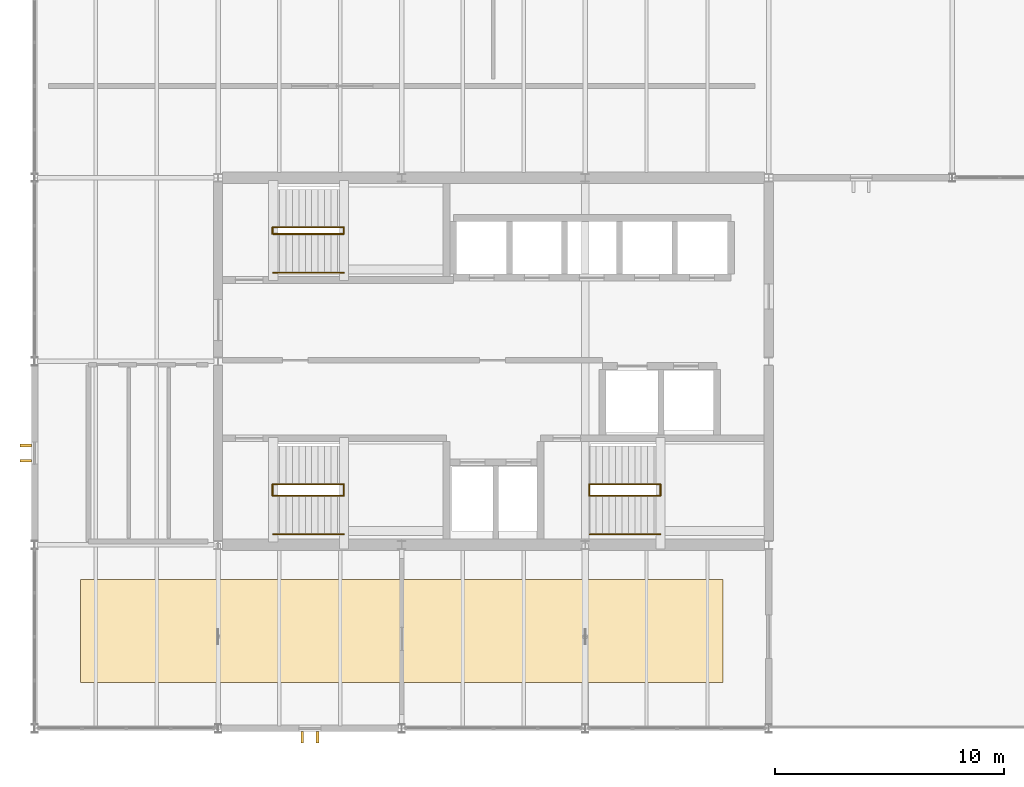
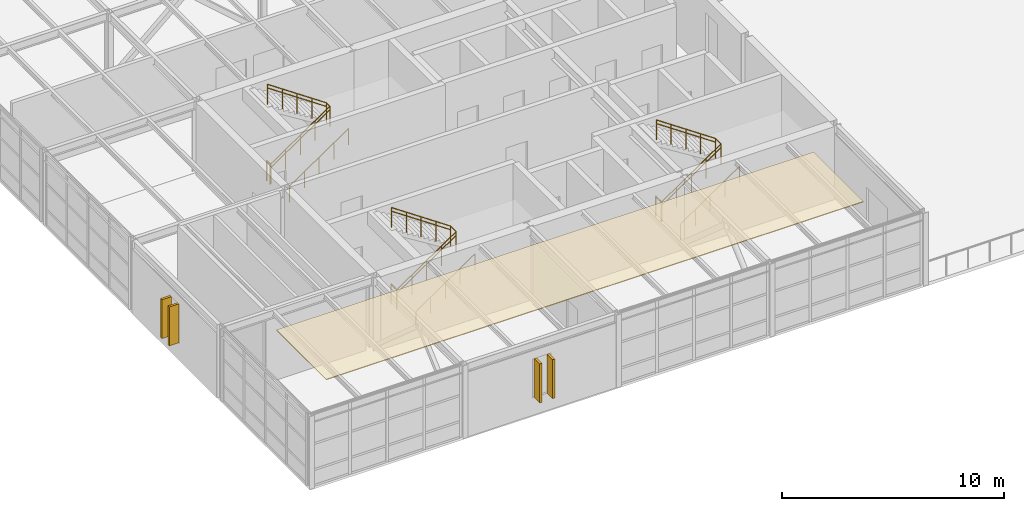
# One storey, part 20 of 21: 18 railings, 4 shading devices, 1 covering.
"""IFC4 building model written with IfcOpenShell, lengths in metres."""

from ifc_helpers import new_model, si_unit, direction, frame, origin, origin_2d, place, context, subcontext, project, spatial, polyline, rectangle, circle, outline, extrude, material, layer, layer_set, type_object, element, save


model = new_model("IFC4")

# Units and contexts
model_context = context("Model", 3, precision=1e-05, world=origin(), true_north=direction((0.0, 1.0)))
body_context = subcontext(model_context, "Body", "Model", "MODEL_VIEW")
ifc_project = project(units=[si_unit("LENGTHUNIT", "METRE"), si_unit("AREAUNIT", "SQUARE_METRE"), si_unit("VOLUMEUNIT", "CUBIC_METRE"), si_unit("PLANEANGLEUNIT", "RADIAN"), si_unit("MASSUNIT", "GRAM", prefix="KILO")], contexts=[model_context])

# Site, building, storey
site_placement = place(None, origin())
site = spatial("IfcSite", under=ifc_project, at=site_placement, CompositionType="ELEMENT")
building_placement = place(site_placement, origin())
building = spatial("IfcBuilding", under=site, at=building_placement, Name="Varnela Railside Interchange", CompositionType="ELEMENT")
storey_placement = place(building_placement, frame((0.0, 0.0, 23.800048828125)))
storey = spatial("IfcBuildingStorey", under=building, at=storey_placement, Name="L05", CompositionType="ELEMENT", Elevation=23.800048828125)

# Shading devices
ifc_material_1 = material(Name="Concrete C40 precast", Category="concrete")
shading_device_type = type_object("IfcShadingDeviceType", Name="Paulista Vertical Brise-Soleil BS-01", PredefinedType="USERDEFINED", material=ifc_material_1)
for number, where, z_axis, x_axis, name in (
    (1, (16.33251953125, 45.614990234375, 0.949951171875), (0.0, 0.0, 1.0), (0.0, -1.0, 0.0), "Paulista Vertical Brise-Soleil BS-01 (L05)"),
    (2, (15.66748046875, 45.614990234375, 0.949951171875), (0.0, 0.0, 1.0), (0.0, -1.0, 0.0), "Paulista Vertical Brise-Soleil BS-01 (L05)"),
    (3, (3.614990234375, 57.66748046875, 0.949951171875), (0.0, 0.0, 1.0), (-1.0, 0.0, 0.0), "Paulista Vertical Brise-Soleil BS-01 (L05)"),
    (4, (3.614990234375, 58.33251953125, 0.949951171875), (0.0, 0.0, 1.0), (-1.0, 0.0, 0.0), "Paulista Vertical Brise-Soleil BS-01 (L05)"),
):
    element("IfcShadingDevice", number, at=place(storey_placement, frame(where, z_axis=z_axis, x_axis=x_axis)), inside=storey, type_object=shading_device_type, Name=name, ObjectType="FIN", PredefinedType="USERDEFINED", context=body_context, shape_type="SweptSolid", body=[
        extrude(rectangle(XDim=0.5, YDim=0.1201171875, at=origin_2d()), origin(), (0.0, 0.0, 1.0), 2.14990234375),
    ])

# Covering
ifc_material_2 = material(Name="Gypsum acoustic board")
ifc_layer = layer(ifc_material_2, 0.044921875)
ifc_layer_set = layer_set([ifc_layer], Name="Gypsum acoustic board")
covering_type = type_object("IfcCoveringType", Name="Perforated Acoustic Baffle Ceiling CV-CLG", PredefinedType="CEILING", material=ifc_layer_set)
covering_placement = place(storey_placement, frame((0.0, 0.0, 3.974853515625)))
element("IfcCovering", 5, at=covering_placement, inside=storey, type_object=covering_type, Name="Perforated Acoustic Baffle Ceiling CV-CLG", PredefinedType="CEILING", context=body_context, shape_type="SweptSolid", body=[
    extrude(outline(polyline([(6.0, 48.0), (34.0, 48.0), (34.0, 52.5), (6.0, 52.5), (6.0, 48.0)])), origin(), (0.0, 0.0, 1.0), 0.045166015625),
])

# Railings
ifc_material_3 = material(Name="Steel AR 350 (350 MPa)", Category="steel")
railing_type_1 = type_object("IfcRailingType", Name="Stair & Ramp Pitch Handrail HR-01", PredefinedType="HANDRAIL", material=ifc_material_3)
railing_1_placement = place(storey_placement, frame((14.39990234375, 56.14990234375, 0.0)))
element("IfcRailing", 6, at=railing_1_placement, inside=storey, type_object=railing_type_1, Name="Stair Handrail ST-T1 Flight 1 (RL-0445)", PredefinedType="HANDRAIL", context=body_context, shape_type="SweptSolid", body=[
    extrude(circle(Radius=0.02392578125, at=origin_2d()), frame((0.0, 0.0, 0.89599609375), z_axis=(0.826252282691, 0.0, 0.563300244406), x_axis=(0.0, 1.0, 0.0)), (0.0, 0.0, 1.0), 3.727783203125),
    extrude(circle(Radius=0.02099609375, at=origin_2d()), origin(), (0.0, 0.0, 1.0), 0.871826171875),
    extrude(circle(Radius=0.02099609375, at=origin_2d()), frame((0.77001953125, 0.0, 0.52490234375)), (0.0, 0.0, 1.0), 0.871826171875),
    extrude(circle(Radius=0.02099609375, at=origin_2d()), frame((1.5400390625, 0.0, 1.0498046875)), (0.0, 0.0, 1.0), 0.871826171875),
    extrude(circle(Radius=0.02099609375, at=origin_2d()), frame((2.31005859375, 0.0, 1.574951171875)), (0.0, 0.0, 1.0), 0.871826171875),
    extrude(circle(Radius=0.02099609375, at=origin_2d()), frame((3.080078125, 0.0, 2.099853515625)), (0.0, 0.0, 1.0), 0.871826171875),
])
railing_2_placement = place(storey_placement, frame((17.47998046875, 56.64990234375, 2.099853515625)))
element("IfcRailing", 7, at=railing_2_placement, inside=storey, type_object=railing_type_1, Name="Stair Handrail ST-T1 Flight 2 (RL-0446)", PredefinedType="HANDRAIL", context=body_context, shape_type="SweptSolid", body=[
    extrude(circle(Radius=0.02392578125, at=origin_2d()), frame((0.0, 0.0, 0.89599609375), z_axis=(-0.826221800596, 0.0, 0.563344953133), x_axis=(0.0, -1.0, 0.0)), (0.0, 0.0, 1.0), 3.72802734375),
    extrude(circle(Radius=0.02099609375, at=origin_2d()), origin(), (0.0, 0.0, 1.0), 0.871826171875),
    extrude(circle(Radius=0.02099609375, at=origin_2d()), frame((-0.77001953125, 0.0, 0.52490234375)), (0.0, 0.0, 1.0), 0.871826171875),
    extrude(circle(Radius=0.02099609375, at=origin_2d()), frame((-1.5400390625, 0.0, 1.050048828125)), (0.0, 0.0, 1.0), 0.871826171875),
    extrude(circle(Radius=0.02099609375, at=origin_2d()), frame((-2.31005859375, 0.0, 1.5751953125)), (0.0, 0.0, 1.0), 0.871826171875),
    extrude(circle(Radius=0.02099609375, at=origin_2d()), frame((-3.080078125, 0.0, 2.10009765625)), (0.0, 0.0, 1.0), 0.871826171875),
])
railing_3_placement = place(storey_placement, frame((28.199951171875, 56.14990234375, 0.0)))
element("IfcRailing", 8, at=railing_3_placement, inside=storey, type_object=railing_type_1, Name="Stair Handrail ST-T2 Flight 1 (RL-0447)", PredefinedType="HANDRAIL", context=body_context, shape_type="SweptSolid", body=[
    extrude(circle(Radius=0.02392578125, at=origin_2d()), frame((0.0, 0.0, 0.89599609375), z_axis=(0.826252282691, 0.0, 0.563300244406), x_axis=(0.0, 1.0, 0.0)), (0.0, 0.0, 1.0), 3.727783203125),
    extrude(circle(Radius=0.02099609375, at=origin_2d()), origin(), (0.0, 0.0, 1.0), 0.871826171875),
    extrude(circle(Radius=0.02099609375, at=origin_2d()), frame((0.77001953125, 0.0, 0.52490234375)), (0.0, 0.0, 1.0), 0.871826171875),
    extrude(circle(Radius=0.02099609375, at=origin_2d()), frame((1.5400390625, 0.0, 1.0498046875)), (0.0, 0.0, 1.0), 0.871826171875),
    extrude(circle(Radius=0.02099609375, at=origin_2d()), frame((2.31005859375, 0.0, 1.574951171875)), (0.0, 0.0, 1.0), 0.871826171875),
    extrude(circle(Radius=0.02099609375, at=origin_2d()), frame((3.080078125, 0.0, 2.099853515625)), (0.0, 0.0, 1.0), 0.871826171875),
])
railing_4_placement = place(storey_placement, frame((31.280029296875, 56.64990234375, 2.099853515625)))
element("IfcRailing", 9, at=railing_4_placement, inside=storey, type_object=railing_type_1, Name="Stair Handrail ST-T2 Flight 2 (RL-0448)", PredefinedType="HANDRAIL", context=body_context, shape_type="SweptSolid", body=[
    extrude(circle(Radius=0.02392578125, at=origin_2d()), frame((0.0, 0.0, 0.89599609375), z_axis=(-0.826221800596, 0.0, 0.563344953133), x_axis=(0.0, -1.0, 0.0)), (0.0, 0.0, 1.0), 3.72802734375),
    extrude(circle(Radius=0.02099609375, at=origin_2d()), origin(), (0.0, 0.0, 1.0), 0.871826171875),
    extrude(circle(Radius=0.02099609375, at=origin_2d()), frame((-0.77001953125, 0.0, 0.52490234375)), (0.0, 0.0, 1.0), 0.871826171875),
    extrude(circle(Radius=0.02099609375, at=origin_2d()), frame((-1.5400390625, 0.0, 1.050048828125)), (0.0, 0.0, 1.0), 0.871826171875),
    extrude(circle(Radius=0.02099609375, at=origin_2d()), frame((-2.31005859375, 0.0, 1.5751953125)), (0.0, 0.0, 1.0), 0.871826171875),
    extrude(circle(Radius=0.02099609375, at=origin_2d()), frame((-3.080078125, 0.0, 2.10009765625)), (0.0, 0.0, 1.0), 0.871826171875),
])
railing_5_placement = place(storey_placement, frame((14.39990234375, 67.550048828125, 0.0)))
element("IfcRailing", 10, at=railing_5_placement, inside=storey, type_object=railing_type_1, Name="Stair Handrail ST-T3 Flight 1 (RL-0449)", PredefinedType="HANDRAIL", context=body_context, shape_type="SweptSolid", body=[
    extrude(circle(Radius=0.02392578125, at=origin_2d()), frame((0.0, 0.0, 0.89599609375), z_axis=(0.826252282691, 0.0, 0.563300244406), x_axis=(0.0, 1.0, 0.0)), (0.0, 0.0, 1.0), 3.727783203125),
    extrude(circle(Radius=0.02099609375, at=origin_2d()), origin(), (0.0, 0.0, 1.0), 0.871826171875),
    extrude(circle(Radius=0.02099609375, at=origin_2d()), frame((0.77001953125, 0.0, 0.52490234375)), (0.0, 0.0, 1.0), 0.871826171875),
    extrude(circle(Radius=0.02099609375, at=origin_2d()), frame((1.5400390625, 0.0, 1.0498046875)), (0.0, 0.0, 1.0), 0.871826171875),
    extrude(circle(Radius=0.02099609375, at=origin_2d()), frame((2.31005859375, 0.0, 1.574951171875)), (0.0, 0.0, 1.0), 0.871826171875),
    extrude(circle(Radius=0.02099609375, at=origin_2d()), frame((3.080078125, 0.0, 2.099853515625)), (0.0, 0.0, 1.0), 0.871826171875),
])
railing_6_placement = place(storey_placement, frame((17.47998046875, 67.85009765625, 2.099853515625)))
element("IfcRailing", 11, at=railing_6_placement, inside=storey, type_object=railing_type_1, Name="Stair Handrail ST-T3 Flight 2 (RL-0450)", PredefinedType="HANDRAIL", context=body_context, shape_type="SweptSolid", body=[
    extrude(circle(Radius=0.02392578125, at=origin_2d()), frame((0.0, 0.0, 0.89599609375), z_axis=(-0.826221800596, 0.0, 0.563344953133), x_axis=(0.0, -1.0, 0.0)), (0.0, 0.0, 1.0), 3.72802734375),
    extrude(circle(Radius=0.02099609375, at=origin_2d()), origin(), (0.0, 0.0, 1.0), 0.871826171875),
    extrude(circle(Radius=0.02099609375, at=origin_2d()), frame((-0.77001953125, 0.0, 0.52490234375)), (0.0, 0.0, 1.0), 0.871826171875),
    extrude(circle(Radius=0.02099609375, at=origin_2d()), frame((-1.5400390625, 0.0, 1.050048828125)), (0.0, 0.0, 1.0), 0.871826171875),
    extrude(circle(Radius=0.02099609375, at=origin_2d()), frame((-2.31005859375, 0.0, 1.5751953125)), (0.0, 0.0, 1.0), 0.871826171875),
    extrude(circle(Radius=0.02099609375, at=origin_2d()), frame((-3.080078125, 0.0, 2.10009765625)), (0.0, 0.0, 1.0), 0.871826171875),
])
railing_type_2 = type_object("IfcRailingType", Name="Stair Well & Landing Guard GR-02", PredefinedType="GUARDRAIL", material=ifc_material_3)
railing_7_placement = place(storey_placement, frame((14.3701171875, 56.14990234375, 0.0)))
element("IfcRailing", 12, at=railing_7_placement, inside=storey, type_object=railing_type_2, Name="Stair Well Slot Guard ST-T1 on L05 (RL-0436)", PredefinedType="GUARDRAIL", context=body_context, shape_type="SweptSolid", body=[
    extrude(circle(Radius=0.02392578125, at=origin_2d()), frame((0.0, 0.0, 1.09619140625), z_axis=(0.0, 1.0, 0.0), x_axis=(-1.0, 0.0, 0.0)), (0.0, 0.0, 1.0), 0.5),
    extrude(circle(Radius=0.02099609375, at=origin_2d()), origin(), (0.0, 0.0, 1.0), 1.072021484375),
    extrude(circle(Radius=0.02099609375, at=origin_2d()), frame((0.0, 0.5, 0.0)), (0.0, 0.0, 1.0), 1.072021484375),
])
railing_8_placement = place(storey_placement, frame((14.39990234375, 56.14990234375, 0.0)))
element("IfcRailing", 13, at=railing_8_placement, inside=storey, type_object=railing_type_2, Name="Stair Guard ST-T1 Half-Landing (RL-0434)", PredefinedType="GUARDRAIL", context=body_context, shape_type="SweptSolid", body=[
    extrude(circle(Radius=0.02392578125, at=origin_2d()), frame((0.0, 0.0, 1.09619140625), z_axis=(0.826252282691, 0.0, 0.563300244406), x_axis=(0.0, 1.0, 0.0)), (0.0, 0.0, 1.0), 3.727783203125),
    extrude(circle(Radius=0.02392578125, at=origin_2d()), frame((3.080078125, 0.0, 3.19580078125), z_axis=(0.0, 1.0, 0.0), x_axis=(-1.0, 0.0, 0.0)), (0.0, 0.0, 1.0), 0.5),
    extrude(circle(Radius=0.02099609375, at=origin_2d()), origin(), (0.0, 0.0, 1.0), 1.072021484375),
    extrude(circle(Radius=0.02099609375, at=origin_2d()), frame((0.77001953125, 0.0, 0.52490234375)), (0.0, 0.0, 1.0), 1.072021484375),
    extrude(circle(Radius=0.02099609375, at=origin_2d()), frame((1.5400390625, 0.0, 1.0498046875)), (0.0, 0.0, 1.0), 1.072021484375),
    extrude(circle(Radius=0.02099609375, at=origin_2d()), frame((2.31005859375, 0.0, 1.574951171875)), (0.0, 0.0, 1.0), 1.072021484375),
    extrude(circle(Radius=0.02099609375, at=origin_2d()), frame((3.080078125, 0.0, 2.099853515625)), (0.0, 0.0, 1.0), 1.072021484375),
    extrude(circle(Radius=0.02099609375, at=origin_2d()), frame((3.080078125, 0.5, 2.099853515625)), (0.0, 0.0, 1.0), 1.072021484375),
])
railing_9_placement = place(storey_placement, frame((17.47998046875, 56.64990234375, 2.099853515625)))
element("IfcRailing", 14, at=railing_9_placement, inside=storey, type_object=railing_type_2, Name="Stair Guard ST-T1 Upper Flight (RL-0435)", PredefinedType="GUARDRAIL", context=body_context, shape_type="SweptSolid", body=[
    extrude(circle(Radius=0.02392578125, at=origin_2d()), frame((0.0, 0.0, 1.09619140625), z_axis=(-0.826221800596, 0.0, 0.563344953133), x_axis=(0.0, -1.0, 0.0)), (0.0, 0.0, 1.0), 3.72802734375),
    extrude(circle(Radius=0.02099609375, at=origin_2d()), origin(), (0.0, 0.0, 1.0), 1.072021484375),
    extrude(circle(Radius=0.02099609375, at=origin_2d()), frame((-0.77001953125, 0.0, 0.52490234375)), (0.0, 0.0, 1.0), 1.072021484375),
    extrude(circle(Radius=0.02099609375, at=origin_2d()), frame((-1.5400390625, 0.0, 1.050048828125)), (0.0, 0.0, 1.0), 1.072021484375),
    extrude(circle(Radius=0.02099609375, at=origin_2d()), frame((-2.31005859375, 0.0, 1.5751953125)), (0.0, 0.0, 1.0), 1.072021484375),
    extrude(circle(Radius=0.02099609375, at=origin_2d()), frame((-3.080078125, 0.0, 2.10009765625)), (0.0, 0.0, 1.0), 1.072021484375),
])
railing_10_placement = place(storey_placement, frame((28.169921875, 56.14990234375, 0.0)))
element("IfcRailing", 15, at=railing_10_placement, inside=storey, type_object=railing_type_2, Name="Stair Well Slot Guard ST-T2 on L05 (RL-0439)", PredefinedType="GUARDRAIL", context=body_context, shape_type="SweptSolid", body=[
    extrude(circle(Radius=0.02392578125, at=origin_2d()), frame((0.0, 0.0, 1.09619140625), z_axis=(0.0, 1.0, 0.0), x_axis=(-1.0, 0.0, 0.0)), (0.0, 0.0, 1.0), 0.5),
    extrude(circle(Radius=0.02099609375, at=origin_2d()), origin(), (0.0, 0.0, 1.0), 1.072021484375),
    extrude(circle(Radius=0.02099609375, at=origin_2d()), frame((0.0, 0.5, 0.0)), (0.0, 0.0, 1.0), 1.072021484375),
])
railing_11_placement = place(storey_placement, frame((28.199951171875, 56.14990234375, 0.0)))
element("IfcRailing", 16, at=railing_11_placement, inside=storey, type_object=railing_type_2, Name="Stair Guard ST-T2 Half-Landing (RL-0437)", PredefinedType="GUARDRAIL", context=body_context, shape_type="SweptSolid", body=[
    extrude(circle(Radius=0.02392578125, at=origin_2d()), frame((0.0, 0.0, 1.09619140625), z_axis=(0.826252282691, 0.0, 0.563300244406), x_axis=(0.0, 1.0, 0.0)), (0.0, 0.0, 1.0), 3.727783203125),
    extrude(circle(Radius=0.02392578125, at=origin_2d()), frame((3.080078125, 0.0, 3.19580078125), z_axis=(0.0, 1.0, 0.0), x_axis=(-1.0, 0.0, 0.0)), (0.0, 0.0, 1.0), 0.5),
    extrude(circle(Radius=0.02099609375, at=origin_2d()), origin(), (0.0, 0.0, 1.0), 1.072021484375),
    extrude(circle(Radius=0.02099609375, at=origin_2d()), frame((0.77001953125, 0.0, 0.52490234375)), (0.0, 0.0, 1.0), 1.072021484375),
    extrude(circle(Radius=0.02099609375, at=origin_2d()), frame((1.5400390625, 0.0, 1.0498046875)), (0.0, 0.0, 1.0), 1.072021484375),
    extrude(circle(Radius=0.02099609375, at=origin_2d()), frame((2.31005859375, 0.0, 1.574951171875)), (0.0, 0.0, 1.0), 1.072021484375),
    extrude(circle(Radius=0.02099609375, at=origin_2d()), frame((3.080078125, 0.0, 2.099853515625)), (0.0, 0.0, 1.0), 1.072021484375),
    extrude(circle(Radius=0.02099609375, at=origin_2d()), frame((3.080078125, 0.5, 2.099853515625)), (0.0, 0.0, 1.0), 1.072021484375),
])
railing_12_placement = place(storey_placement, frame((31.280029296875, 56.64990234375, 2.099853515625)))
element("IfcRailing", 17, at=railing_12_placement, inside=storey, type_object=railing_type_2, Name="Stair Guard ST-T2 Upper Flight (RL-0438)", PredefinedType="GUARDRAIL", context=body_context, shape_type="SweptSolid", body=[
    extrude(circle(Radius=0.02392578125, at=origin_2d()), frame((0.0, 0.0, 1.09619140625), z_axis=(-0.826221800596, 0.0, 0.563344953133), x_axis=(0.0, -1.0, 0.0)), (0.0, 0.0, 1.0), 3.72802734375),
    extrude(circle(Radius=0.02099609375, at=origin_2d()), origin(), (0.0, 0.0, 1.0), 1.072021484375),
    extrude(circle(Radius=0.02099609375, at=origin_2d()), frame((-0.77001953125, 0.0, 0.52490234375)), (0.0, 0.0, 1.0), 1.072021484375),
    extrude(circle(Radius=0.02099609375, at=origin_2d()), frame((-1.5400390625, 0.0, 1.050048828125)), (0.0, 0.0, 1.0), 1.072021484375),
    extrude(circle(Radius=0.02099609375, at=origin_2d()), frame((-2.31005859375, 0.0, 1.5751953125)), (0.0, 0.0, 1.0), 1.072021484375),
    extrude(circle(Radius=0.02099609375, at=origin_2d()), frame((-3.080078125, 0.0, 2.10009765625)), (0.0, 0.0, 1.0), 1.072021484375),
])
railing_13_placement = place(storey_placement, frame((14.3701171875, 67.550048828125, 0.0)))
element("IfcRailing", 18, at=railing_13_placement, inside=storey, type_object=railing_type_2, Name="Stair Well Slot Guard ST-T3 on L05 (RL-0442)", PredefinedType="GUARDRAIL", context=body_context, shape_type="SweptSolid", body=[
    extrude(circle(Radius=0.02392578125, at=origin_2d()), frame((0.0, 0.0, 1.09619140625), z_axis=(0.0, 1.0, 0.0), x_axis=(-1.0, 0.0, 0.0)), (0.0, 0.0, 1.0), 0.300048828125),
    extrude(circle(Radius=0.02099609375, at=origin_2d()), origin(), (0.0, 0.0, 1.0), 1.072021484375),
    extrude(circle(Radius=0.02099609375, at=origin_2d()), frame((0.0, 0.300048828125, 0.0)), (0.0, 0.0, 1.0), 1.072021484375),
])
railing_14_placement = place(storey_placement, frame((14.39990234375, 67.550048828125, 0.0)))
element("IfcRailing", 19, at=railing_14_placement, inside=storey, type_object=railing_type_2, Name="Stair Guard ST-T3 Half-Landing (RL-0440)", PredefinedType="GUARDRAIL", context=body_context, shape_type="SweptSolid", body=[
    extrude(circle(Radius=0.02392578125, at=origin_2d()), frame((0.0, 0.0, 1.09619140625), z_axis=(0.826252282691, 0.0, 0.563300244406), x_axis=(0.0, 1.0, 0.0)), (0.0, 0.0, 1.0), 3.727783203125),
    extrude(circle(Radius=0.02392578125, at=origin_2d()), frame((3.080078125, 0.0, 3.19580078125), z_axis=(0.0, 1.0, 0.0), x_axis=(-1.0, 0.0, 0.0)), (0.0, 0.0, 1.0), 0.300048828125),
    extrude(circle(Radius=0.02099609375, at=origin_2d()), origin(), (0.0, 0.0, 1.0), 1.072021484375),
    extrude(circle(Radius=0.02099609375, at=origin_2d()), frame((0.77001953125, 0.0, 0.52490234375)), (0.0, 0.0, 1.0), 1.072021484375),
    extrude(circle(Radius=0.02099609375, at=origin_2d()), frame((1.5400390625, 0.0, 1.0498046875)), (0.0, 0.0, 1.0), 1.072021484375),
    extrude(circle(Radius=0.02099609375, at=origin_2d()), frame((2.31005859375, 0.0, 1.574951171875)), (0.0, 0.0, 1.0), 1.072021484375),
    extrude(circle(Radius=0.02099609375, at=origin_2d()), frame((3.080078125, 0.0, 2.099853515625)), (0.0, 0.0, 1.0), 1.072021484375),
    extrude(circle(Radius=0.02099609375, at=origin_2d()), frame((3.080078125, 0.300048828125, 2.099853515625)), (0.0, 0.0, 1.0), 1.072021484375),
])
railing_15_placement = place(storey_placement, frame((17.47998046875, 67.85009765625, 2.099853515625)))
element("IfcRailing", 20, at=railing_15_placement, inside=storey, type_object=railing_type_2, Name="Stair Guard ST-T3 Upper Flight (RL-0441)", PredefinedType="GUARDRAIL", context=body_context, shape_type="SweptSolid", body=[
    extrude(circle(Radius=0.02392578125, at=origin_2d()), frame((0.0, 0.0, 1.09619140625), z_axis=(-0.826221800596, 0.0, 0.563344953133), x_axis=(0.0, -1.0, 0.0)), (0.0, 0.0, 1.0), 3.72802734375),
    extrude(circle(Radius=0.02099609375, at=origin_2d()), origin(), (0.0, 0.0, 1.0), 1.072021484375),
    extrude(circle(Radius=0.02099609375, at=origin_2d()), frame((-0.77001953125, 0.0, 0.52490234375)), (0.0, 0.0, 1.0), 1.072021484375),
    extrude(circle(Radius=0.02099609375, at=origin_2d()), frame((-1.5400390625, 0.0, 1.050048828125)), (0.0, 0.0, 1.0), 1.072021484375),
    extrude(circle(Radius=0.02099609375, at=origin_2d()), frame((-2.31005859375, 0.0, 1.5751953125)), (0.0, 0.0, 1.0), 1.072021484375),
    extrude(circle(Radius=0.02099609375, at=origin_2d()), frame((-3.080078125, 0.0, 2.10009765625)), (0.0, 0.0, 1.0), 1.072021484375),
])
railing_type_3 = type_object("IfcRailingType", Name="Wall-Mounted Stair Handrail HR-02", PredefinedType="HANDRAIL", material=ifc_material_3)
for number, where, name in (
    (21, (14.39990234375, 54.4599609375, 0.0), "Wall Handrail ST-T1 Flight 1 (RL-0451)"),
    (22, (28.199951171875, 54.4599609375, 0.0), "Wall Handrail ST-T2 Flight 1 (RL-0452)"),
    (23, (14.39990234375, 65.860107421875, 0.0), "Wall Handrail ST-T3 Flight 1 (RL-0453)"),
):
    element("IfcRailing", number, at=place(storey_placement, frame(where)), inside=storey, type_object=railing_type_3, Name=name, PredefinedType="HANDRAIL", context=body_context, shape_type="SweptSolid", body=[
        extrude(circle(Radius=0.02392578125, at=origin_2d()), frame((0.0, 0.0, 0.89599609375), z_axis=(0.826252282691, 0.0, 0.563300244406), x_axis=(0.0, 1.0, 0.0)), (0.0, 0.0, 1.0), 3.727783203125),
        extrude(circle(Radius=0.02099609375, at=origin_2d()), origin(), (0.0, 0.0, 1.0), 0.871826171875),
        extrude(circle(Radius=0.02099609375, at=origin_2d()), frame((0.77001953125, 0.0, 0.52490234375)), (0.0, 0.0, 1.0), 0.871826171875),
        extrude(circle(Radius=0.02099609375, at=origin_2d()), frame((1.5400390625, 0.0, 1.0498046875)), (0.0, 0.0, 1.0), 0.871826171875),
        extrude(circle(Radius=0.02099609375, at=origin_2d()), frame((2.31005859375, 0.0, 1.574951171875)), (0.0, 0.0, 1.0), 0.871826171875),
        extrude(circle(Radius=0.02099609375, at=origin_2d()), frame((3.080078125, 0.0, 2.099853515625)), (0.0, 0.0, 1.0), 0.871826171875),
    ])

save(model, "model.ifc")
